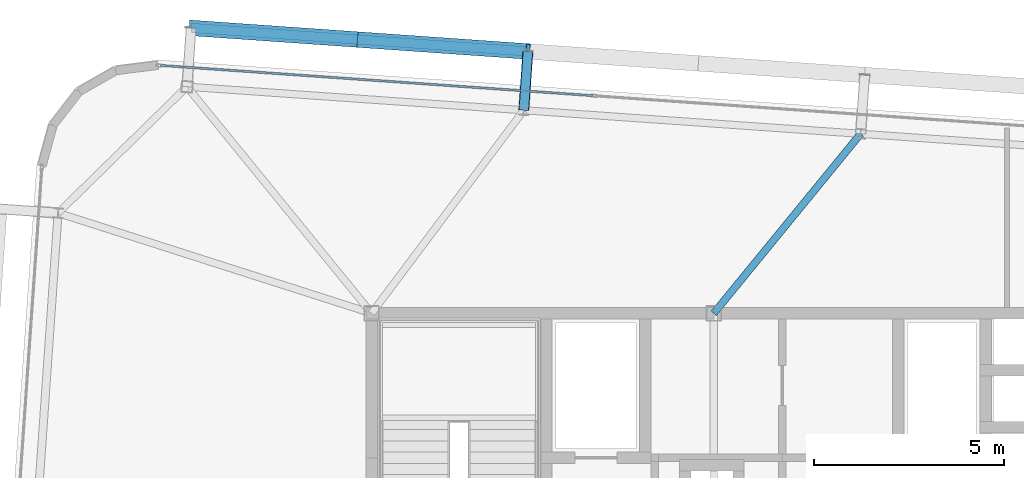
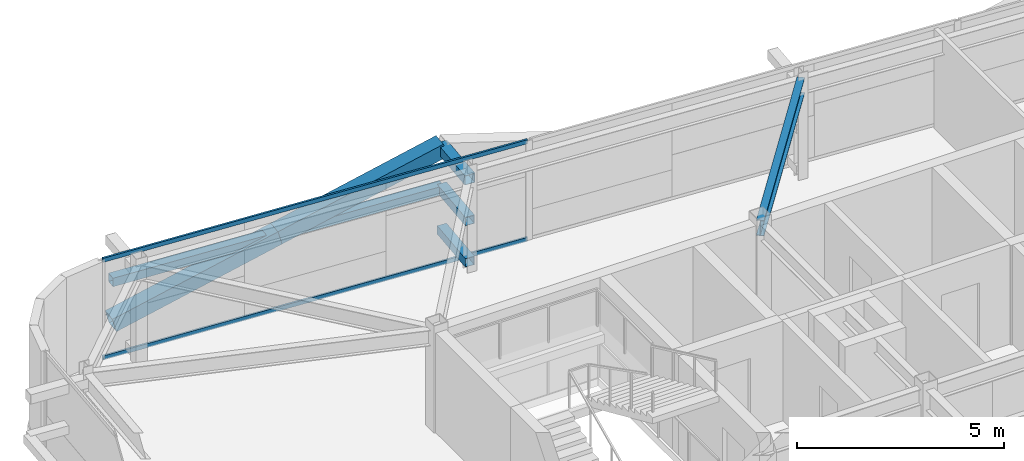
# One storey, part 20 of 39: 8 members, 1 beam, 1 element without a shape of its own.
"""IFC4 building model written with IfcOpenShell, lengths in metres."""

from ifc_helpers import new_model, si_unit, direction, frame, origin, origin_2d, place, context, subcontext, project, spatial, hollow_rectangle, i_section, extrude, source, transform, mapped, material, layer, layer_set, material_profile, profile_set, type_object, element, aggregate, save


model = new_model("IFC4")

# Units and contexts
model_context = context("Model", 3, precision=1e-05, world=origin(), true_north=direction((0.0, 1.0)))
body_context = subcontext(model_context, "Body", "Model", "MODEL_VIEW")
ifc_project = project(units=[si_unit("LENGTHUNIT", "METRE"), si_unit("AREAUNIT", "SQUARE_METRE"), si_unit("VOLUMEUNIT", "CUBIC_METRE"), si_unit("PLANEANGLEUNIT", "RADIAN"), si_unit("MASSUNIT", "GRAM", prefix="KILO")], contexts=[model_context])

# Site, building, storey
site_placement = place(None, origin())
site = spatial("IfcSite", under=ifc_project, at=site_placement, CompositionType="ELEMENT")
building_placement = place(site_placement, origin())
building = spatial("IfcBuilding", under=site, at=building_placement, Name="Taldren Reach Tower", CompositionType="ELEMENT")
storey_placement = place(building_placement, frame((0.0, 0.0, 120.39990234375)))
storey = spatial("IfcBuildingStorey", under=building, at=storey_placement, Name="L36", CompositionType="ELEMENT", Elevation=120.39990234375)

# Members
ifc_material_1 = material(Name="Steel Gr 450 (C450L0)", Category="steel")
ifc_material_profile_1 = material_profile(ifc_material_1, hollow_rectangle(XDim=0.27490234375, YDim=0.27490234375, WallThickness=0.00927734375, at=origin_2d()), Name="275x275x9.3SHS")
ifc_profile_set_1 = profile_set([ifc_material_profile_1], Name="Steel Gr 450 (C450L0)")
member_type_1 = type_object("IfcMemberType", Name="MB-TIE273", PredefinedType="STRUT", material=ifc_profile_set_1)
shared_shape_1 = source(origin(), body_context, "Body", "SweptSolid", [
    extrude(hollow_rectangle(XDim=0.27490234375, YDim=0.27490234375, WallThickness=0.00927734375, at=origin_2d()), origin(), (0.0, 0.0, 1.0), 1.5498046875),
])
member_1_placement = place(storey_placement, frame((23.0029296875, 37.33935546875, 2.650146484375), z_axis=(0.069780535098, 0.997562367434, 0.0), x_axis=(-0.997562367434, 0.069780535098, 0.0)))
element("IfcMember", 1, at=member_1_placement, inside=storey, type_object=member_type_1, Name="Exoskeleton diaphragm tie strut B3-N2 L36", PredefinedType="STRUT", context=body_context, shape_type="MappedRepresentation", body=[
    mapped(shared_shape_1, transform((0.0, 0.0, 0.0), scale=1.0)),
])
ifc_material_2 = material(Name="Steel Gr 350 (C350L0)", Category="steel")
ifc_material_profile_2 = material_profile(ifc_material_2, hollow_rectangle(XDim=0.25, YDim=0.25, WallThickness=0.010009765625, at=origin_2d()), Name="250x250x10.0SHS")
ifc_profile_set_2 = profile_set([ifc_material_profile_2], Name="Steel Gr 350 (C350L0)")
member_type_2 = type_object("IfcMemberType", Name="MB-POST250", PredefinedType="POST", material=ifc_profile_set_2)
shared_shape_2 = source(origin(), body_context, "Body", "SweptSolid", [
    extrude(hollow_rectangle(XDim=0.25, YDim=0.25, WallThickness=0.010009765625, at=origin_2d()), origin(), (0.0, 0.0, 1.0), 1.5498046875),
])
for number, where, z_axis, x_axis, name in (
    (2, (23.0029296875, 37.33935546875, 0.22021484375), (0.069780535098, 0.997562367434, 0.0), (-0.997562367434, 0.069780535098, 0.0), "Exoskeleton base diaphragm tie strut B3-N2 L36"),
    (3, (23.0029296875, 37.33935546875, 1.43505859375), (0.069780535098, 0.997562367434, 0.0), (-0.997562367434, 0.069780535098, 0.0), "Exoskeleton mid-tier diaphragm tie B3-N2 L36"),
):
    element("IfcMember", number, at=place(storey_placement, frame(where, z_axis=z_axis, x_axis=x_axis)), inside=storey, type_object=member_type_2, Name=name, PredefinedType="POST", context=body_context, shape_type="MappedRepresentation", body=[
        mapped(shared_shape_2, transform((0.0, 0.0, 0.0), scale=1.0)),
    ])

# Beam
ifc_material_3 = material(Name="Steel Gr 350 (350PLUS)", Category="steel")
ifc_material_profile_3 = material_profile(ifc_material_3, i_section(OverallWidth=0.19091796875, OverallDepth=0.4599609375, WebThickness=0.010009765625, FlangeThickness=0.01611328125, at=origin_2d()), Name="460UB82.1")
ifc_profile_set_3 = profile_set([ifc_material_profile_3], Name="Steel Gr 350 (350PLUS)")
beam_type = type_object("IfcBeamType", Name="BM-UB460A", PredefinedType="BEAM", material=ifc_profile_set_3)
shared_shape_3 = source(origin(), body_context, "Body", "SweptSolid", [
    extrude(i_section(OverallWidth=0.19091796875, OverallDepth=0.4599609375, WebThickness=0.010009765625, FlangeThickness=0.01611328125, at=origin_2d()), origin(), (0.0, 0.0, 1.0), 6.09814453125),
])
beam_placement = place(storey_placement, frame((28.0, 32.0, 2.7001953125), z_axis=(0.633192006663, 0.773994756247, 0.0), x_axis=(-0.773994756247, 0.633192006663, 0.0)))
element("IfcBeam", 4, at=beam_placement, inside=storey, type_object=beam_type, Name="Primary floor girder B3-N3 L36", PredefinedType="BEAM", context=body_context, shape_type="MappedRepresentation", body=[
    mapped(shared_shape_3, transform((0.0, 0.0, 0.0), scale=1.0)),
])

# Members
shared_shape_4 = source(origin(), body_context, "Body", "SweptSolid", [
    extrude(hollow_rectangle(XDim=0.25, YDim=0.25, WallThickness=0.010009765625, at=origin_2d()), origin(), (0.0, 0.0, 1.0), 8.880126953125),
])
member_2_placement = place(storey_placement, frame((14.252685546875, 39.5048828125, 1.43505859375), z_axis=(0.997564479639, -0.069750333063, 0.0), x_axis=(0.069750333063, 0.997564479639, 0.0)))
element("IfcMember", 5, at=member_2_placement, inside=storey, type_object=member_type_2, Name="Exoskeleton mid-height ring chord B3-N1 L36", PredefinedType="POST", context=body_context, shape_type="MappedRepresentation", body=[
    mapped(shared_shape_4, transform((0.0, 0.0, 0.0), scale=1.0)),
])
ifc_material_profile_4 = material_profile(ifc_material_1, hollow_rectangle(XDim=0.409912109375, YDim=0.409912109375, WallThickness=0.01611328125, at=origin_2d()), Name="410x410x16.0SHS")
ifc_profile_set_4 = profile_set([ifc_material_profile_4], Name="Steel Gr 450 (C450L0)")
member_type_3 = type_object("IfcMemberType", Name="MB-EXO406", PredefinedType="BRACE", material=ifc_profile_set_4)
shared_shape_5 = source(origin(), body_context, "Body", "SweptSolid", [
    extrude(hollow_rectangle(XDim=0.409912109375, YDim=0.409912109375, WallThickness=0.01611328125, at=origin_2d()), origin(), (0.0, 0.0, 1.0), 4.603271484375),
])
for number, where, z_axis, x_axis, name in (
    (6, (14.252685546875, 39.5048828125, 0.22021484375), (0.962199253371, -0.067251055742, 0.263912660389), (0.069722973508, 0.997566392259, 0.0), "Exoskeleton Diagrid Brace B3-N1 L36"),
    (7, (18.681884765625, 39.1953125, 1.43505859375), (0.962182351074, -0.067302910567, 0.263961060594), (0.06977769246, 0.997562566276, 0.0), "Exoskeleton Diagrid Brace B3-N1 L36"),
):
    element("IfcMember", number, at=place(storey_placement, frame(where, z_axis=z_axis, x_axis=x_axis)), inside=storey, type_object=member_type_3, Name=name, PredefinedType="BRACE", context=body_context, shape_type="MappedRepresentation", body=[
        mapped(shared_shape_5, transform((0.0, 0.0, 0.0), scale=1.0)),
    ])

# Curtain wall, members
ifc_material_4 = material(Name="Aluminium and Low-E Glass Unitised System", Category="aluminium")
ifc_layer = layer(ifc_material_4, 0.159912109375)
ifc_layer_set = layer_set([ifc_layer], Name="Aluminium and Low-E Glass Unitised System")
curtain_wall_type = type_object("IfcCurtainWallType", Name="CW-SYS-4", PredefinedType="NOTDEFINED", material=ifc_layer_set)
curtain_wall_placement = place(storey_placement, origin())
curtain_wall = element("IfcCurtainWall", 8, at=curtain_wall_placement, inside=storey, type_object=curtain_wall_type, Name="Unitised curtain wall CW-L36-N", PredefinedType="NOTDEFINED")
ifc_material_5 = material(Name="Anodised Aluminium 6063-T6", Category="aluminium")
ifc_material_profile_5 = material_profile(ifc_material_5, hollow_rectangle(XDim=0.054931640625, YDim=0.1201171875, WallThickness=0.0029296875, at=origin_2d()), Name="ALU-120x55x3RHS")
ifc_profile_set_5 = profile_set([ifc_material_profile_5], Name="Anodised Aluminium 6063-T6")
member_type_4 = type_object("IfcMemberType", Name="CW-TRN-135", PredefinedType="USERDEFINED", material=ifc_profile_set_5)
shared_shape_6 = source(origin(), body_context, "Body", "SweptSolid", [
    extrude(hollow_rectangle(XDim=0.054931640625, YDim=0.1201171875, WallThickness=0.0029296875, at=origin_2d()), origin(), (0.0, 0.0, 1.0), 11.39501953125),
])
member_3_placement = place(storey_placement, frame((24.819091796875, 37.7236328125, 0.027587890625), z_axis=(-0.997563740682, 0.069760900766, 0.0), x_axis=(-0.069760900766, -0.997563740682, 0.0)))
member_3 = element("IfcMember", 9, at=member_3_placement, type_object=member_type_4, Name="CW-4 transom 4.1", ObjectType="TRANSOM", PredefinedType="USERDEFINED", context=body_context, shape_type="MappedRepresentation", body=[
    mapped(shared_shape_6, transform((0.0, 0.0, 0.0), scale=1.0)),
])
member_4_placement = place(storey_placement, frame((24.819091796875, 37.7236328125, 2.902587890625), z_axis=(-0.997563740682, 0.069760900766, 0.0), x_axis=(-0.069760900766, -0.997563740682, 0.0)))
member_4 = element("IfcMember", 10, at=member_4_placement, type_object=member_type_4, Name="CW-4 transom 4.2", ObjectType="TRANSOM", PredefinedType="USERDEFINED", context=body_context, shape_type="MappedRepresentation", body=[
    mapped(shared_shape_6, transform((0.0, 0.0, 0.0), scale=1.0)),
])
aggregate(curtain_wall, [member_3, member_4])

save(model, "model.ifc")
